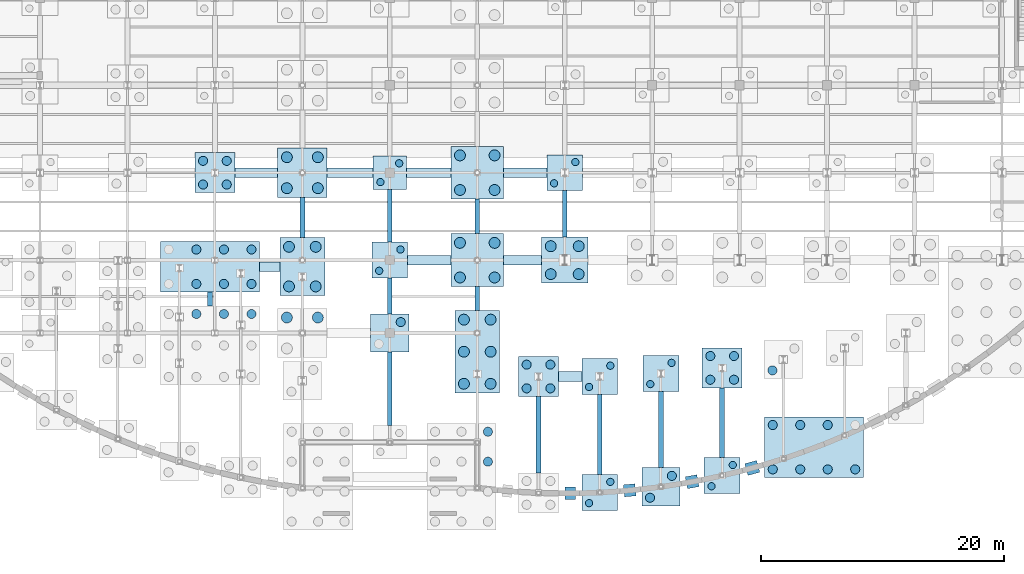
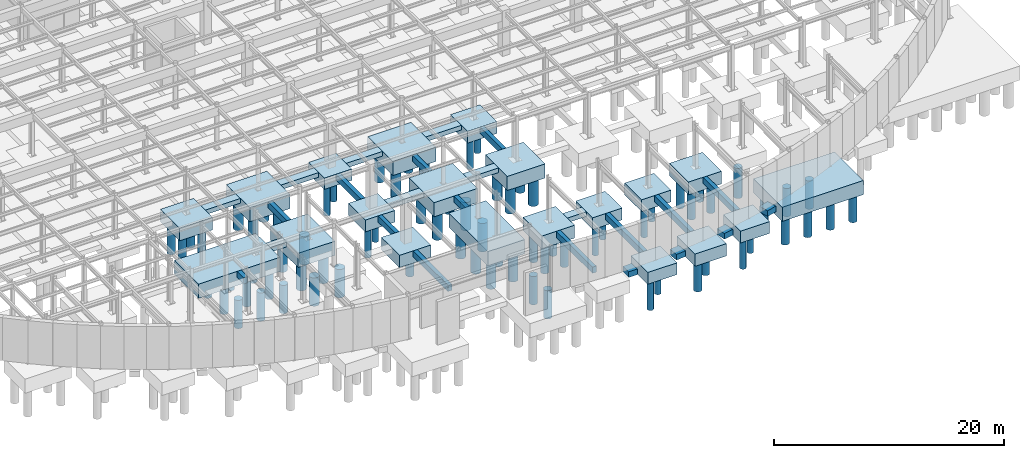
# One storey, part 4 of 64: 76 piles, 44 footings.
"""IFC4 building model written with IfcOpenShell, lengths in metres."""

from ifc_helpers import new_model, si_unit, direction, frame, origin, origin_2d, place, context, subcontext, project, spatial, rectangle, circle, extrude, material, material_profile, profile_set, type_object, element, save


model = new_model("IFC4")

# Units and contexts
model_context = context("Model", 3, precision=1e-05, world=origin(), true_north=direction((0.0, 1.0)))
body_context = subcontext(model_context, "Body", "Model", "MODEL_VIEW")
ifc_project = project(units=[si_unit("LENGTHUNIT", "METRE"), si_unit("AREAUNIT", "SQUARE_METRE"), si_unit("VOLUMEUNIT", "CUBIC_METRE"), si_unit("PLANEANGLEUNIT", "RADIAN"), si_unit("MASSUNIT", "GRAM", prefix="KILO")], contexts=[model_context])

# Site, building, storey
site_placement = place(None, origin())
site = spatial("IfcSite", under=ifc_project, at=site_placement, CompositionType="ELEMENT")
building_placement = place(site_placement, origin())
building = spatial("IfcBuilding", under=site, at=building_placement, Name="Solvadek Multi-Sports Hall", CompositionType="ELEMENT")
storey_placement = place(building_placement, frame((0.0, 0.0, -4.800048828125)))
storey = spatial("IfcBuildingStorey", under=building, at=storey_placement, Name="B1", CompositionType="ELEMENT", Elevation=-4.800048828125)

# Footings
ifc_material_1 = material(Name="Concrete M40", Category="concrete")
footing_type_1 = type_object("IfcFootingType", Name="STR-CAP-275X275X120", PredefinedType="PILE_CAP", material=ifc_material_1)
footing_1_placement = place(storey_placement, frame((79.199951171875, 13.199951171875, -1.19970703125), z_axis=(0.0, 0.0, 1.0), x_axis=(1.0, 0.0, 0.0)))
element("IfcFooting", 1, at=footing_1_placement, inside=storey, type_object=footing_type_1, Name="Pile Cap PC-02 #55", PredefinedType="PILE_CAP", context=body_context, shape_type="SweptSolid", body=[
    extrude(rectangle(XDim=2.75, YDim=2.75, at=origin_2d()), origin(), (0.0, 0.0, 1.0), 1.199951171875),
])
footing_type_2 = type_object("IfcFootingType", Name="STR-CAP-295X295X125", PredefinedType="PILE_CAP", material=ifc_material_1)
for number, where, z_axis, x_axis, name in (
    (2, (96.47998046875, -13.128662109375, -1.25), (0.0, 0.0, 1.0), (1.0, 0.0, 0.0), "Pile Cap PC-14 #4"),
    (3, (106.56005859375, -11.73876953125, -1.25), (0.0, 0.0, 1.0), (1.0, 0.0, 0.0), "Pile Cap PC-14 #7"),
    (4, (96.47998046875, -3.564453125, -1.25), (0.0, 0.0, 1.0), (1.0, 0.0, 0.0), "Pile Cap PC-14 #16"),
    (5, (101.52001953125, -3.329345703125, -1.25), (0.0, 0.0, 1.0), (1.0, 0.0, 0.0), "Pile Cap PC-14 #19"),
    (6, (79.199951171875, 6.0, -1.25), (0.0, 0.0, 1.0), (1.0, 0.0, 0.0), "Pile Cap PC-14 #44"),
    (7, (93.60009765625, 13.199951171875, -1.25), (0.0, 0.0, 1.0), (1.0, 0.0, 0.0), "Pile Cap PC-14 #56"),
):
    element("IfcFooting", number, at=place(storey_placement, frame(where, z_axis=z_axis, x_axis=x_axis)), inside=storey, type_object=footing_type_2, Name=name, PredefinedType="PILE_CAP", context=body_context, shape_type="SweptSolid", body=[
        extrude(rectangle(XDim=2.949951171875, YDim=2.949951171875, at=origin_2d()), origin(), (0.0, 0.0, 1.0), 1.25),
    ])
footing_type_3 = type_object("IfcFootingType", Name="STR-CAP-315X315X130", PredefinedType="PILE_CAP", material=ifc_material_1)
for number, where, z_axis, x_axis, name in (
    (8, (101.52001953125, -12.65869140625, -1.2998046875), (0.0, 0.0, 1.0), (1.0, 0.0, 0.0), "Pile Cap PC-15 #5"),
    (9, (79.199951171875, 0.0, -1.2998046875), (0.0, 0.0, 1.0), (1.0, 0.0, 0.0), "Pile Cap PC-15 #30"),
):
    element("IfcFooting", number, at=place(storey_placement, frame(where, z_axis=z_axis, x_axis=x_axis)), inside=storey, type_object=footing_type_3, Name=name, PredefinedType="PILE_CAP", context=body_context, shape_type="SweptSolid", body=[
        extrude(rectangle(XDim=3.14990234375, YDim=3.14990234375, at=origin_2d()), origin(), (0.0, 0.0, 1.0), 1.300048828125),
    ])
footing_type_4 = type_object("IfcFootingType", Name="STR-CAP-330X330X135", PredefinedType="PILE_CAP", material=ifc_material_1)
for number, where, z_axis, x_axis, name in (
    (10, (91.43994140625, -3.580078125, -1.35009765625), (0.0, 0.0, 1.0), (1.0, 0.0, 0.0), "Pile Cap PC-04 #15"),
    (11, (106.56005859375, -2.869384765625, -1.35009765625), (0.0, 0.0, 1.0), (1.0, 0.0, 0.0), "Pile Cap PC-04 #21"),
    (12, (64.800048828125, 13.199951171875, -1.35009765625), (0.0, 0.0, 1.0), (1.0, 0.0, 0.0), "Pile Cap PC-04 #54"),
):
    element("IfcFooting", number, at=place(storey_placement, frame(where, z_axis=z_axis, x_axis=x_axis)), inside=storey, type_object=footing_type_4, Name=name, PredefinedType="PILE_CAP", context=body_context, shape_type="SweptSolid", body=[
        extrude(rectangle(XDim=3.300048828125, YDim=3.300048828125, at=origin_2d()), origin(), (0.0, 0.0, 1.0), 1.35009765625),
    ])
footing_type_5 = type_object("IfcFootingType", Name="STR-CAP-380X380X150", PredefinedType="PILE_CAP", material=ifc_material_1)
footing_2_placement = place(storey_placement, frame((93.60009765625, 6.0, -1.5), z_axis=(0.0, 0.0, 1.0), x_axis=(1.0, 0.0, 0.0)))
element("IfcFooting", 13, at=footing_2_placement, inside=storey, type_object=footing_type_5, Name="Pile Cap PC-06 #37", PredefinedType="PILE_CAP", context=body_context, shape_type="SweptSolid", body=[
    extrude(rectangle(XDim=3.800048828125, YDim=3.800048828125, at=origin_2d()), origin(), (0.0, 0.0, 1.0), 1.5),
])
footing_type_6 = type_object("IfcFootingType", Name="STR-CAP-405X405X150", PredefinedType="PILE_CAP", material=ifc_material_1)
footing_3_placement = place(storey_placement, frame((72.0, 13.199951171875, -1.5), z_axis=(0.0, 0.0, 1.0), x_axis=(1.0, 0.0, 0.0)))
element("IfcFooting", 14, at=footing_3_placement, inside=storey, type_object=footing_type_6, Name="Pile Cap PC-17 #47", PredefinedType="PILE_CAP", context=body_context, shape_type="SweptSolid", body=[
    extrude(rectangle(XDim=4.050048828125, YDim=4.050048828125, at=origin_2d()), origin(), (0.0, 0.0, 1.0), 1.5),
])
footing_type_7 = type_object("IfcFootingType", Name="STR-CAP-435X435X150", PredefinedType="PILE_CAP", material=ifc_material_1)
for number, where, z_axis, x_axis, name in (
    (15, (86.39990234375, 6.0, -1.5), (0.0, 0.0, 1.0), (1.0, 0.0, 0.0), "Pile Cap PC-18 #36"),
    (16, (86.39990234375, 13.199951171875, -1.5), (0.0, 0.0, 1.0), (1.0, 0.0, 0.0), "Pile Cap PC-18 #48"),
):
    element("IfcFooting", number, at=place(storey_placement, frame(where, z_axis=z_axis, x_axis=x_axis)), inside=storey, type_object=footing_type_7, Name=name, PredefinedType="PILE_CAP", context=body_context, shape_type="SweptSolid", body=[
        extrude(rectangle(XDim=4.35009765625, YDim=4.35009765625, at=origin_2d()), origin(), (0.0, 0.0, 1.0), 1.5),
    ])
footing_type_8 = type_object("IfcFootingType", Name="STR-CAP-CMB-476X370", PredefinedType="PILE_CAP", material=ifc_material_1)
footing_4_placement = place(storey_placement, frame((72.0, 5.4677734375, -1.5), z_axis=(0.0, 0.0, 1.0), x_axis=(0.0, 1.0, 0.0)))
element("IfcFooting", 17, at=footing_4_placement, inside=storey, type_object=footing_type_8, Name="Pile Cap PC-R32 #32", PredefinedType="PILE_CAP", context=body_context, shape_type="SweptSolid", body=[
    extrude(rectangle(XDim=4.760009765625, YDim=3.699951171875, at=origin_2d()), origin(), (0.0, 0.0, 1.0), 1.5),
])
footing_type_9 = type_object("IfcFootingType", Name="STR-CAP-CMB-678X370", PredefinedType="PILE_CAP", material=ifc_material_1)
footing_5_placement = place(storey_placement, frame((86.39990234375, -1.5380859375, -1.5), z_axis=(0.0, 0.0, 1.0), x_axis=(0.0, 1.0, 0.0)))
element("IfcFooting", 18, at=footing_5_placement, inside=storey, type_object=footing_type_9, Name="Pile Cap PC-R17 #17", PredefinedType="PILE_CAP", context=body_context, shape_type="SweptSolid", body=[
    extrude(rectangle(XDim=6.780029296875, YDim=3.699951171875, at=origin_2d()), origin(), (0.0, 0.0, 1.0), 1.5),
])
footing_type_10 = type_object("IfcFootingType", Name="STR-CAP-CMB-814X500", PredefinedType="PILE_CAP", material=ifc_material_1)
footing_6_placement = place(storey_placement, frame((114.1201171875, -9.39599609375, -1.5), z_axis=(0.0, 0.0, 1.0), x_axis=(1.0, 0.0, 0.0)))
element("IfcFooting", 19, at=footing_6_placement, inside=storey, type_object=footing_type_10, Name="Pile Cap PC-R09 #9", PredefinedType="PILE_CAP", context=body_context, shape_type="SweptSolid", body=[
    extrude(rectangle(XDim=8.139892578125, YDim=5.0, at=origin_2d()), origin(), (0.0, 0.0, 1.0), 1.5),
])
footing_type_11 = type_object("IfcFootingType", Name="STR-CAP-CMB-816X418", PredefinedType="PILE_CAP", material=ifc_material_1)
footing_7_placement = place(storey_placement, frame((64.4091796875, 5.45947265625, -1.5), z_axis=(0.0, 0.0, 1.0), x_axis=(1.0, 0.0, 0.0)))
element("IfcFooting", 20, at=footing_7_placement, inside=storey, type_object=footing_type_11, Name="Pile Cap PC-R33 #33", PredefinedType="PILE_CAP", context=body_context, shape_type="SweptSolid", body=[
    extrude(rectangle(XDim=8.159912109375, YDim=4.179931640625, at=origin_2d()), origin(), (0.0, 0.0, 1.0), 1.5),
])
footing_type_12 = type_object("IfcFootingType", Name="STR-FTB-400X650", PredefinedType="FOOTING_BEAM", material=ifc_material_1)
footing_8_placement = place(storey_placement, frame((64.4091796875, 2.806396484375, -0.64990234375), z_axis=(0.0, 0.0, 1.0), x_axis=(0.0, 1.0, 0.0)))
element("IfcFooting", 21, at=footing_8_placement, inside=storey, type_object=footing_type_12, Name="Foundation Beam FB-01 #315", PredefinedType="FOOTING_BEAM", context=body_context, shape_type="SweptSolid", body=[
    extrude(rectangle(XDim=1.126220703125, YDim=0.39990234375, at=origin_2d()), origin(), (0.0, 0.0, 1.0), 0.64990234375),
])
footing_9_placement = place(storey_placement, frame((72.0, 9.511474609375, -0.64990234375), z_axis=(0.0, 0.0, 1.0), x_axis=(0.0, 1.0, 0.0)))
element("IfcFooting", 22, at=footing_9_placement, inside=storey, type_object=footing_type_12, Name="Foundation Beam FB-01 #327", PredefinedType="FOOTING_BEAM", context=body_context, shape_type="SweptSolid", body=[
    extrude(rectangle(XDim=3.3271484375, YDim=0.39990234375, at=origin_2d()), origin(), (0.0, 0.0, 1.0), 0.64990234375),
])
footing_10_placement = place(storey_placement, frame((79.199951171875, -4.60009765625, -0.64990234375), z_axis=(0.0, 0.0, 1.0), x_axis=(0.0, 1.0, 0.0)))
element("IfcFooting", 23, at=footing_10_placement, inside=storey, type_object=footing_type_12, Name="Foundation Beam FB-01 #341", PredefinedType="FOOTING_BEAM", context=body_context, shape_type="SweptSolid", body=[
    extrude(rectangle(XDim=6.050048828125, YDim=0.39990234375, at=origin_2d()), origin(), (0.0, 0.0, 1.0), 0.64990234375),
])
footing_11_placement = place(storey_placement, frame((79.199951171875, 3.050048828125, -0.64990234375), z_axis=(0.0, 0.0, 1.0), x_axis=(0.0, 1.0, 0.0)))
element("IfcFooting", 24, at=footing_11_placement, inside=storey, type_object=footing_type_12, Name="Foundation Beam FB-01 #342", PredefinedType="FOOTING_BEAM", context=body_context, shape_type="SweptSolid", body=[
    extrude(rectangle(XDim=2.949951171875, YDim=0.39990234375, at=origin_2d()), origin(), (0.0, 0.0, 1.0), 0.64990234375),
])
footing_12_placement = place(storey_placement, frame((79.199951171875, 9.64990234375, -0.64990234375), z_axis=(0.0, 0.0, 1.0), x_axis=(0.0, 1.0, 0.0)))
element("IfcFooting", 25, at=footing_12_placement, inside=storey, type_object=footing_type_12, Name="Foundation Beam FB-01 #343", PredefinedType="FOOTING_BEAM", context=body_context, shape_type="SweptSolid", body=[
    extrude(rectangle(XDim=4.35009765625, YDim=0.39990234375, at=origin_2d()), origin(), (0.0, 0.0, 1.0), 0.64990234375),
])
footing_13_placement = place(storey_placement, frame((86.39990234375, 2.83837890625, -0.64990234375), z_axis=(0.0, 0.0, 1.0), x_axis=(0.0, 1.0, 0.0)))
element("IfcFooting", 26, at=footing_13_placement, inside=storey, type_object=footing_type_12, Name="Foundation Beam FB-01 #355", PredefinedType="FOOTING_BEAM", context=body_context, shape_type="SweptSolid", body=[
    extrude(rectangle(XDim=1.97314453125, YDim=0.39990234375, at=origin_2d()), origin(), (0.0, 0.0, 1.0), 0.64990234375),
])
footing_14_placement = place(storey_placement, frame((86.39990234375, 9.60009765625, -0.64990234375), z_axis=(0.0, 0.0, 1.0), x_axis=(0.0, 1.0, 0.0)))
element("IfcFooting", 27, at=footing_14_placement, inside=storey, type_object=footing_type_12, Name="Foundation Beam FB-01 #356", PredefinedType="FOOTING_BEAM", context=body_context, shape_type="SweptSolid", body=[
    extrude(rectangle(XDim=2.85009765625, YDim=0.39990234375, at=origin_2d()), origin(), (0.0, 0.0, 1.0), 0.64990234375),
])
footing_15_placement = place(storey_placement, frame((91.43994140625, -8.369873046875, -0.64990234375), z_axis=(0.0, 0.0, 1.0), x_axis=(0.0, 1.0, 0.0)))
element("IfcFooting", 28, at=footing_15_placement, inside=storey, type_object=footing_type_12, Name="Foundation Beam FB-01 #370", PredefinedType="FOOTING_BEAM", context=body_context, shape_type="SweptSolid", body=[
    extrude(rectangle(XDim=6.27978515625, YDim=0.39990234375, at=origin_2d()), origin(), (0.0, 0.0, 1.0), 0.64990234375),
])
footing_16_placement = place(storey_placement, frame((93.60009765625, 9.8125, -0.64990234375), z_axis=(0.0, 0.0, 1.0), x_axis=(0.0, 1.0, 0.0)))
element("IfcFooting", 29, at=footing_16_placement, inside=storey, type_object=footing_type_12, Name="Foundation Beam FB-01 #371", PredefinedType="FOOTING_BEAM", context=body_context, shape_type="SweptSolid", body=[
    extrude(rectangle(XDim=3.824951171875, YDim=0.39990234375, at=origin_2d()), origin(), (0.0, 0.0, 1.0), 0.64990234375),
])
footing_17_placement = place(storey_placement, frame((96.47998046875, -8.346435546875, -0.64990234375), z_axis=(0.0, 0.0, 1.0), x_axis=(0.0, 1.0, 0.0)))
element("IfcFooting", 30, at=footing_17_placement, inside=storey, type_object=footing_type_12, Name="Foundation Beam FB-01 #378", PredefinedType="FOOTING_BEAM", context=body_context, shape_type="SweptSolid", body=[
    extrude(rectangle(XDim=6.6142578125, YDim=0.39990234375, at=origin_2d()), origin(), (0.0, 0.0, 1.0), 0.64990234375),
])
footing_18_placement = place(storey_placement, frame((101.52001953125, -7.94384765625, -0.64990234375), z_axis=(0.0, 0.0, 1.0), x_axis=(0.0, 1.0, 0.0)))
element("IfcFooting", 31, at=footing_18_placement, inside=storey, type_object=footing_type_12, Name="Foundation Beam FB-01 #386", PredefinedType="FOOTING_BEAM", context=body_context, shape_type="SweptSolid", body=[
    extrude(rectangle(XDim=6.279296875, YDim=0.39990234375, at=origin_2d()), origin(), (0.0, 0.0, 1.0), 0.64990234375),
])
footing_19_placement = place(storey_placement, frame((106.56005859375, -7.3916015625, -0.64990234375), z_axis=(0.0, 0.0, 1.0), x_axis=(0.0, 1.0, 0.0)))
element("IfcFooting", 32, at=footing_19_placement, inside=storey, type_object=footing_type_12, Name="Foundation Beam FB-01 #387", PredefinedType="FOOTING_BEAM", context=body_context, shape_type="SweptSolid", body=[
    extrude(rectangle(XDim=5.744384765625, YDim=0.39990234375, at=origin_2d()), origin(), (0.0, 0.0, 1.0), 0.64990234375),
])

# Piles
ifc_material_2 = material(Name="Concrete M35", Category="concrete")
ifc_material_profile_1 = material_profile(ifc_material_2, circle(Radius=0.300048828125, at=origin_2d()), Name="BORED PILE D600")
ifc_profile_set_1 = profile_set([ifc_material_profile_1], Name="Concrete M35")
pile_type_1 = type_object("IfcPileType", Name="STR-PILE-D600", PredefinedType="BORED", material=ifc_profile_set_1)
for number, where, z_axis, x_axis, name in (
    (33, (95.60498046875, -14.003662109375, -1.14990234375), (0.0, 0.0, -1.0), (1.0, 0.0, 0.0), "Bored Pile PL-600 #29"),
    (34, (97.35498046875, -12.253662109375, -1.14990234375), (0.0, 0.0, -1.0), (1.0, 0.0, 0.0), "Bored Pile PL-600 #30"),
    (35, (105.68505859375, -12.61376953125, -1.14990234375), (0.0, 0.0, -1.0), (1.0, 0.0, 0.0), "Bored Pile PL-600 #37"),
    (36, (107.43505859375, -10.86376953125, -1.14990234375), (0.0, 0.0, -1.0), (1.0, 0.0, 0.0), "Bored Pile PL-600 #38"),
    (37, (95.60498046875, -4.439453125, -1.14990234375), (0.0, 0.0, -1.0), (1.0, 0.0, 0.0), "Bored Pile PL-600 #65"),
    (38, (97.35498046875, -2.689453125, -1.14990234375), (0.0, 0.0, -1.0), (1.0, 0.0, 0.0), "Bored Pile PL-600 #66"),
    (39, (100.64501953125, -4.204345703125, -1.14990234375), (0.0, 0.0, -1.0), (1.0, 0.0, 0.0), "Bored Pile PL-600 #85"),
    (40, (102.39501953125, -2.454345703125, -1.14990234375), (0.0, 0.0, -1.0), (1.0, 0.0, 0.0), "Bored Pile PL-600 #86"),
    (41, (78.324951171875, 5.125, -1.14990234375), (0.0, 0.0, -1.0), (1.0, 0.0, 0.0), "Bored Pile PL-600 #202"),
    (42, (80.074951171875, 6.875, -1.14990234375), (0.0, 0.0, -1.0), (1.0, 0.0, 0.0), "Bored Pile PL-600 #203"),
):
    element("IfcPile", number, at=place(storey_placement, frame(where, z_axis=z_axis, x_axis=x_axis)), inside=storey, type_object=pile_type_1, Name=name, PredefinedType="BORED", context=body_context, shape_type="SweptSolid", body=[
        extrude(circle(Radius=0.300048828125, at=origin_2d()), origin(), (0.0, 0.0, 1.0), 3.25),
    ])
for number, where, z_axis, x_axis, name in (
    (43, (78.425048828125, 12.425048828125, -1.099853515625), (0.0, 0.0, -1.0), (1.0, 0.0, 0.0), "Bored Pile PL-600 #236"),
    (44, (79.97509765625, 13.97509765625, -1.099853515625), (0.0, 0.0, -1.0), (1.0, 0.0, 0.0), "Bored Pile PL-600 #237"),
):
    element("IfcPile", number, at=place(storey_placement, frame(where, z_axis=z_axis, x_axis=x_axis)), inside=storey, type_object=pile_type_1, Name=name, PredefinedType="BORED", context=body_context, shape_type="SweptSolid", body=[
        extrude(circle(Radius=0.300048828125, at=origin_2d()), origin(), (0.0, 0.0, 1.0), 3.300048828125),
    ])
for number, where, z_axis, x_axis, name in (
    (45, (92.72509765625, 12.324951171875, -1.14990234375), (0.0, 0.0, -1.0), (1.0, 0.0, 0.0), "Bored Pile PL-600 #238"),
    (46, (94.47509765625, 14.074951171875, -1.14990234375), (0.0, 0.0, -1.0), (1.0, 0.0, 0.0), "Bored Pile PL-600 #239"),
):
    element("IfcPile", number, at=place(storey_placement, frame(where, z_axis=z_axis, x_axis=x_axis)), inside=storey, type_object=pile_type_1, Name=name, PredefinedType="BORED", context=body_context, shape_type="SweptSolid", body=[
        extrude(circle(Radius=0.300048828125, at=origin_2d()), origin(), (0.0, 0.0, 1.0), 3.25),
    ])
ifc_material_profile_2 = material_profile(ifc_material_2, circle(Radius=0.375, at=origin_2d()), Name="BORED PILE D750")
ifc_profile_set_2 = profile_set([ifc_material_profile_2], Name="Concrete M35")
pile_type_2 = type_object("IfcPileType", Name="STR-PILE-D750", PredefinedType="BORED", material=ifc_profile_set_2)
for number, where, z_axis, x_axis, name in (
    (47, (87.27490234375, -10.591796875, -1.39990234375), (0.0, 0.0, -1.0), (1.0, 0.0, 0.0), "Bored Pile PL-750 #23"),
    (48, (87.27490234375, -8.125, -1.39990234375), (0.0, 0.0, -1.0), (1.0, 0.0, 0.0), "Bored Pile PL-750 #24"),
):
    element("IfcPile", number, at=place(storey_placement, frame(where, z_axis=z_axis, x_axis=x_axis)), inside=storey, type_object=pile_type_2, Name=name, PredefinedType="BORED", context=body_context, shape_type="SweptSolid", body=[
        extrude(circle(Radius=0.375, at=origin_2d()), origin(), (0.0, 0.0, 1.0), 3.0),
    ])
for number, where, z_axis, x_axis, name in (
    (49, (100.6201171875, -13.55859375, -1.199951171875), (0.0, 0.0, -1.0), (1.0, 0.0, 0.0), "Bored Pile PL-750 #31"),
    (50, (102.419921875, -11.758544921875, -1.199951171875), (0.0, 0.0, -1.0), (1.0, 0.0, 0.0), "Bored Pile PL-750 #32"),
):
    element("IfcPile", number, at=place(storey_placement, frame(where, z_axis=z_axis, x_axis=x_axis)), inside=storey, type_object=pile_type_2, Name=name, PredefinedType="BORED", context=body_context, shape_type="SweptSolid", body=[
        extrude(circle(Radius=0.375, at=origin_2d()), origin(), (0.0, 0.0, 1.0), 3.199951171875),
    ])
for number, where, z_axis, x_axis, name in (
    (51, (110.72509765625, -11.220947265625, -1.39990234375), (0.0, 0.0, -1.0), (1.0, 0.0, 0.0), "Bored Pile PL-750 #41"),
    (52, (110.72509765625, -7.57080078125, -1.39990234375), (0.0, 0.0, -1.0), (1.0, 0.0, 0.0), "Bored Pile PL-750 #42"),
    (53, (112.98828125, -11.220947265625, -1.39990234375), (0.0, 0.0, -1.0), (1.0, 0.0, 0.0), "Bored Pile PL-750 #43"),
    (54, (112.98828125, -7.57080078125, -1.39990234375), (0.0, 0.0, -1.0), (1.0, 0.0, 0.0), "Bored Pile PL-750 #44"),
    (55, (115.251708984375, -11.220947265625, -1.39990234375), (0.0, 0.0, -1.0), (1.0, 0.0, 0.0), "Bored Pile PL-750 #45"),
    (56, (115.251708984375, -7.57080078125, -1.39990234375), (0.0, 0.0, -1.0), (1.0, 0.0, 0.0), "Bored Pile PL-750 #46"),
    (57, (117.514892578125, -11.220947265625, -1.39990234375), (0.0, 0.0, -1.0), (1.0, 0.0, 0.0), "Bored Pile PL-750 #47"),
):
    element("IfcPile", number, at=place(storey_placement, frame(where, z_axis=z_axis, x_axis=x_axis)), inside=storey, type_object=pile_type_2, Name=name, PredefinedType="BORED", context=body_context, shape_type="SweptSolid", body=[
        extrude(circle(Radius=0.375, at=origin_2d()), origin(), (0.0, 0.0, 1.0), 3.0),
    ])
for number, where, z_axis, x_axis, name in (
    (58, (90.465087890625, -4.554931640625, -1.25), (0.0, 0.0, -1.0), (1.0, 0.0, 0.0), "Bored Pile PL-750 #61"),
    (59, (90.465087890625, -2.60498046875, -1.25), (0.0, 0.0, -1.0), (1.0, 0.0, 0.0), "Bored Pile PL-750 #62"),
    (60, (92.4150390625, -4.554931640625, -1.25), (0.0, 0.0, -1.0), (1.0, 0.0, 0.0), "Bored Pile PL-750 #63"),
    (61, (92.4150390625, -2.60498046875, -1.25), (0.0, 0.0, -1.0), (1.0, 0.0, 0.0), "Bored Pile PL-750 #64"),
):
    element("IfcPile", number, at=place(storey_placement, frame(where, z_axis=z_axis, x_axis=x_axis)), inside=storey, type_object=pile_type_2, Name=name, PredefinedType="BORED", context=body_context, shape_type="SweptSolid", body=[
        extrude(circle(Radius=0.375, at=origin_2d()), origin(), (0.0, 0.0, 1.0), 3.14990234375),
    ])
for number, where, z_axis, x_axis, name in (
    (62, (63.274169921875, 1.568359375, -1.39990234375), (0.0, 0.0, -1.0), (1.0, 0.0, 0.0), "Bored Pile PL-750 #78"),
    (63, (65.544189453125, 1.568359375, -1.39990234375), (0.0, 0.0, -1.0), (1.0, 0.0, 0.0), "Bored Pile PL-750 #81"),
    (64, (67.814208984375, 1.568359375, -1.39990234375), (0.0, 0.0, -1.0), (1.0, 0.0, 0.0), "Bored Pile PL-750 #84"),
):
    element("IfcPile", number, at=place(storey_placement, frame(where, z_axis=z_axis, x_axis=x_axis)), inside=storey, type_object=pile_type_2, Name=name, PredefinedType="BORED", context=body_context, shape_type="SweptSolid", body=[
        extrude(circle(Radius=0.375, at=origin_2d()), origin(), (0.0, 0.0, 1.0), 3.0),
    ])
for number, where, z_axis, x_axis, name in (
    (65, (105.5849609375, -3.84423828125, -1.25), (0.0, 0.0, -1.0), (1.0, 0.0, 0.0), "Bored Pile PL-750 #89"),
    (66, (105.5849609375, -1.894287109375, -1.25), (0.0, 0.0, -1.0), (1.0, 0.0, 0.0), "Bored Pile PL-750 #90"),
    (67, (107.534912109375, -3.84423828125, -1.25), (0.0, 0.0, -1.0), (1.0, 0.0, 0.0), "Bored Pile PL-750 #91"),
    (68, (107.534912109375, -1.894287109375, -1.25), (0.0, 0.0, -1.0), (1.0, 0.0, 0.0), "Bored Pile PL-750 #92"),
):
    element("IfcPile", number, at=place(storey_placement, frame(where, z_axis=z_axis, x_axis=x_axis)), inside=storey, type_object=pile_type_2, Name=name, PredefinedType="BORED", context=body_context, shape_type="SweptSolid", body=[
        extrude(circle(Radius=0.375, at=origin_2d()), origin(), (0.0, 0.0, 1.0), 3.14990234375),
    ])
for number, where, z_axis, x_axis, name in (
    (69, (110.699951171875, -3.0732421875, -1.199951171875), (0.0, 0.0, -1.0), (1.0, 0.0, 0.0), "Bored Pile PL-750 #123"),
    (70, (80.10009765625, 0.89990234375, -1.199951171875), (0.0, 0.0, -1.0), (1.0, 0.0, 0.0), "Bored Pile PL-750 #145"),
):
    element("IfcPile", number, at=place(storey_placement, frame(where, z_axis=z_axis, x_axis=x_axis)), inside=storey, type_object=pile_type_2, Name=name, PredefinedType="BORED", context=body_context, shape_type="SweptSolid", body=[
        extrude(circle(Radius=0.375, at=origin_2d()), origin(), (0.0, 0.0, 1.0), 3.199951171875),
    ])
for number, where, z_axis, x_axis, name in (
    (71, (63.274169921875, 4.04443359375, -1.39990234375), (0.0, 0.0, -1.0), (1.0, 0.0, 0.0), "Bored Pile PL-750 #158"),
    (72, (63.274169921875, 6.87451171875, -1.39990234375), (0.0, 0.0, -1.0), (1.0, 0.0, 0.0), "Bored Pile PL-750 #159"),
    (73, (65.544189453125, 4.04443359375, -1.39990234375), (0.0, 0.0, -1.0), (1.0, 0.0, 0.0), "Bored Pile PL-750 #160"),
    (74, (65.544189453125, 6.87451171875, -1.39990234375), (0.0, 0.0, -1.0), (1.0, 0.0, 0.0), "Bored Pile PL-750 #161"),
    (75, (67.814208984375, 4.04443359375, -1.39990234375), (0.0, 0.0, -1.0), (1.0, 0.0, 0.0), "Bored Pile PL-750 #162"),
    (76, (67.814208984375, 6.87451171875, -1.39990234375), (0.0, 0.0, -1.0), (1.0, 0.0, 0.0), "Bored Pile PL-750 #163"),
):
    element("IfcPile", number, at=place(storey_placement, frame(where, z_axis=z_axis, x_axis=x_axis)), inside=storey, type_object=pile_type_2, Name=name, PredefinedType="BORED", context=body_context, shape_type="SweptSolid", body=[
        extrude(circle(Radius=0.375, at=origin_2d()), origin(), (0.0, 0.0, 1.0), 3.0),
    ])
for number, where, z_axis, x_axis, name in (
    (77, (63.824951171875, 12.22509765625, -1.25), (0.0, 0.0, -1.0), (1.0, 0.0, 0.0), "Bored Pile PL-750 #232"),
    (78, (63.824951171875, 14.175048828125, -1.25), (0.0, 0.0, -1.0), (1.0, 0.0, 0.0), "Bored Pile PL-750 #233"),
    (79, (65.77490234375, 12.22509765625, -1.25), (0.0, 0.0, -1.0), (1.0, 0.0, 0.0), "Bored Pile PL-750 #234"),
    (80, (65.77490234375, 14.175048828125, -1.25), (0.0, 0.0, -1.0), (1.0, 0.0, 0.0), "Bored Pile PL-750 #235"),
):
    element("IfcPile", number, at=place(storey_placement, frame(where, z_axis=z_axis, x_axis=x_axis)), inside=storey, type_object=pile_type_2, Name=name, PredefinedType="BORED", context=body_context, shape_type="SweptSolid", body=[
        extrude(circle(Radius=0.375, at=origin_2d()), origin(), (0.0, 0.0, 1.0), 3.14990234375),
    ])
ifc_material_profile_3 = material_profile(ifc_material_2, circle(Radius=0.449951171875, at=origin_2d()), Name="BORED PILE D900")
ifc_profile_set_3 = profile_set([ifc_material_profile_3], Name="Concrete M35")
pile_type_3 = type_object("IfcPileType", Name="STR-PILE-D900", PredefinedType="BORED", material=ifc_profile_set_3)
for number, where, z_axis, x_axis, name in (
    (81, (85.300048828125, -4.17822265625, -1.39990234375), (0.0, 0.0, -1.0), (1.0, 0.0, 0.0), "Bored Pile PL-900 #67"),
    (82, (85.300048828125, -1.5380859375, -1.39990234375), (0.0, 0.0, -1.0), (1.0, 0.0, 0.0), "Bored Pile PL-900 #68"),
    (83, (85.300048828125, 1.101806640625, -1.39990234375), (0.0, 0.0, -1.0), (1.0, 0.0, 0.0), "Bored Pile PL-900 #69"),
    (84, (87.5, -4.17822265625, -1.39990234375), (0.0, 0.0, -1.0), (1.0, 0.0, 0.0), "Bored Pile PL-900 #70"),
    (85, (87.5, -1.5380859375, -1.39990234375), (0.0, 0.0, -1.0), (1.0, 0.0, 0.0), "Bored Pile PL-900 #71"),
    (86, (87.5, 1.101806640625, -1.39990234375), (0.0, 0.0, -1.0), (1.0, 0.0, 0.0), "Bored Pile PL-900 #72"),
    (87, (70.72509765625, 1.27490234375, -1.39990234375), (0.0, 0.0, -1.0), (1.0, 0.0, 0.0), "Bored Pile PL-900 #134"),
    (88, (73.27490234375, 1.27490234375, -1.39990234375), (0.0, 0.0, -1.0), (1.0, 0.0, 0.0), "Bored Pile PL-900 #135"),
    (89, (70.89990234375, 3.837890625, -1.39990234375), (0.0, 0.0, -1.0), (1.0, 0.0, 0.0), "Bored Pile PL-900 #152"),
    (90, (70.89990234375, 7.097900390625, -1.39990234375), (0.0, 0.0, -1.0), (1.0, 0.0, 0.0), "Bored Pile PL-900 #153"),
    (91, (73.10009765625, 3.837890625, -1.39990234375), (0.0, 0.0, -1.0), (1.0, 0.0, 0.0), "Bored Pile PL-900 #154"),
    (92, (73.10009765625, 7.097900390625, -1.39990234375), (0.0, 0.0, -1.0), (1.0, 0.0, 0.0), "Bored Pile PL-900 #155"),
    (93, (84.97509765625, 4.574951171875, -1.39990234375), (0.0, 0.0, -1.0), (1.0, 0.0, 0.0), "Bored Pile PL-900 #172"),
    (94, (84.97509765625, 7.425048828125, -1.39990234375), (0.0, 0.0, -1.0), (1.0, 0.0, 0.0), "Bored Pile PL-900 #173"),
    (95, (87.824951171875, 4.574951171875, -1.39990234375), (0.0, 0.0, -1.0), (1.0, 0.0, 0.0), "Bored Pile PL-900 #174"),
    (96, (87.824951171875, 7.425048828125, -1.39990234375), (0.0, 0.0, -1.0), (1.0, 0.0, 0.0), "Bored Pile PL-900 #175"),
    (97, (92.449951171875, 4.85009765625, -1.39990234375), (0.0, 0.0, -1.0), (1.0, 0.0, 0.0), "Bored Pile PL-900 #176"),
    (98, (92.449951171875, 7.14990234375, -1.39990234375), (0.0, 0.0, -1.0), (1.0, 0.0, 0.0), "Bored Pile PL-900 #177"),
    (99, (94.75, 4.85009765625, -1.39990234375), (0.0, 0.0, -1.0), (1.0, 0.0, 0.0), "Bored Pile PL-900 #178"),
    (100, (94.75, 7.14990234375, -1.39990234375), (0.0, 0.0, -1.0), (1.0, 0.0, 0.0), "Bored Pile PL-900 #179"),
    (101, (70.72509765625, 11.925048828125, -1.39990234375), (0.0, 0.0, -1.0), (1.0, 0.0, 0.0), "Bored Pile PL-900 #210"),
    (102, (70.72509765625, 14.47509765625, -1.39990234375), (0.0, 0.0, -1.0), (1.0, 0.0, 0.0), "Bored Pile PL-900 #211"),
    (103, (73.27490234375, 11.925048828125, -1.39990234375), (0.0, 0.0, -1.0), (1.0, 0.0, 0.0), "Bored Pile PL-900 #212"),
    (104, (73.27490234375, 14.47509765625, -1.39990234375), (0.0, 0.0, -1.0), (1.0, 0.0, 0.0), "Bored Pile PL-900 #213"),
    (105, (84.97509765625, 11.77490234375, -1.39990234375), (0.0, 0.0, -1.0), (1.0, 0.0, 0.0), "Bored Pile PL-900 #214"),
    (106, (84.97509765625, 14.625, -1.39990234375), (0.0, 0.0, -1.0), (1.0, 0.0, 0.0), "Bored Pile PL-900 #215"),
    (107, (87.824951171875, 11.77490234375, -1.39990234375), (0.0, 0.0, -1.0), (1.0, 0.0, 0.0), "Bored Pile PL-900 #216"),
    (108, (87.824951171875, 14.625, -1.39990234375), (0.0, 0.0, -1.0), (1.0, 0.0, 0.0), "Bored Pile PL-900 #217"),
):
    element("IfcPile", number, at=place(storey_placement, frame(where, z_axis=z_axis, x_axis=x_axis)), inside=storey, type_object=pile_type_3, Name=name, PredefinedType="BORED", context=body_context, shape_type="SweptSolid", body=[
        extrude(circle(Radius=0.449951171875, at=origin_2d()), origin(), (0.0, 0.0, 1.0), 3.0),
    ])

# Footings
footing_type_13 = type_object("IfcFootingType", Name="STR-SFT-1000X600", PredefinedType="STRIP_FOOTING", material=ifc_material_1)
footing_20_placement = place(storey_placement, frame((94.047607421875, -13.1923828125, -0.60009765625), z_axis=(0.0, 0.0, 1.0), x_axis=(0.999981342241, 0.006108614391, 0.0)))
element("IfcFooting", 109, at=footing_20_placement, inside=storey, type_object=footing_type_13, Name="Perimeter Retaining Wall Strip Footing #442", PredefinedType="STRIP_FOOTING", context=body_context, shape_type="SweptSolid", body=[
    extrude(rectangle(XDim=0.875, YDim=1.0, at=origin_2d()), origin(), (0.0, 0.0, 1.0), 0.60009765625),
])
footing_21_placement = place(storey_placement, frame((98.949951171875, -12.947509765625, -0.60009765625), z_axis=(0.0, 0.0, 1.0), x_axis=(0.995676196569, 0.092891934994, 0.0)))
element("IfcFooting", 110, at=footing_21_placement, inside=storey, type_object=footing_type_13, Name="Perimeter Retaining Wall Strip Footing #443", PredefinedType="STRIP_FOOTING", context=body_context, shape_type="SweptSolid", body=[
    extrude(rectangle(XDim=0.9541015625, YDim=1.0, at=origin_2d()), origin(), (0.0, 0.0, 1.0), 0.60009765625),
])
footing_22_placement = place(storey_placement, frame((104.090087890625, -12.240478515625, -0.60009765625), z_axis=(0.0, 0.0, 1.0), x_axis=(0.983759970682, 0.179489052822, 0.0)))
element("IfcFooting", 111, at=footing_22_placement, inside=storey, type_object=footing_type_13, Name="Perimeter Retaining Wall Strip Footing #444", PredefinedType="STRIP_FOOTING", context=body_context, shape_type="SweptSolid", body=[
    extrude(rectangle(XDim=0.966064453125, YDim=1.0, at=origin_2d()), origin(), (0.0, 0.0, 1.0), 0.60009765625),
])
footing_23_placement = place(storey_placement, frame((109.04248046875, -11.107177734375, -0.60009765625), z_axis=(0.0, 0.0, 1.0), x_axis=(0.963956227226, 0.266060880235, 0.0)))
element("IfcFooting", 112, at=footing_23_placement, inside=storey, type_object=footing_type_13, Name="Perimeter Retaining Wall Strip Footing #445", PredefinedType="STRIP_FOOTING", context=body_context, shape_type="SweptSolid", body=[
    extrude(rectangle(XDim=1.010986328125, YDim=1.0, at=origin_2d()), origin(), (0.0, 0.0, 1.0), 0.60009765625),
])
footing_type_14 = type_object("IfcFootingType", Name="STR-SFT-800X500", PredefinedType="STRIP_FOOTING", material=ifc_material_1)
footing_24_placement = place(storey_placement, frame((94.047607421875, -3.572265625, -0.5), z_axis=(0.0, 0.0, 1.0), x_axis=(1.0, 0.0, 0.0)))
element("IfcFooting", 113, at=footing_24_placement, inside=storey, type_object=footing_type_14, Name="Foundation Beam SF-01 #2", PredefinedType="STRIP_FOOTING", context=body_context, shape_type="SweptSolid", body=[
    extrude(rectangle(XDim=1.9150390625, YDim=0.800048828125, at=origin_2d()), origin(), (0.0, 0.0, 1.0), 0.5),
])
footing_25_placement = place(storey_placement, frame((69.319580078125, 5.463623046875, -0.5), z_axis=(0.0, 0.0, 1.0), x_axis=(1.0, 0.0, 0.0)))
element("IfcFooting", 114, at=footing_25_placement, inside=storey, type_object=footing_type_14, Name="Foundation Beam SF-01 #4", PredefinedType="STRIP_FOOTING", context=body_context, shape_type="SweptSolid", body=[
    extrude(rectangle(XDim=1.660888671875, YDim=0.800048828125, at=origin_2d()), origin(), (0.0, 0.0, 1.0), 0.5),
])
footing_26_placement = place(storey_placement, frame((82.449951171875, 6.0, -0.5), z_axis=(0.0, 0.0, 1.0), x_axis=(1.0, 0.0, 0.0)))
element("IfcFooting", 115, at=footing_26_placement, inside=storey, type_object=footing_type_14, Name="Foundation Beam SF-01 #5", PredefinedType="STRIP_FOOTING", context=body_context, shape_type="SweptSolid", body=[
    extrude(rectangle(XDim=3.550048828125, YDim=0.800048828125, at=origin_2d()), origin(), (0.0, 0.0, 1.0), 0.5),
])
footing_27_placement = place(storey_placement, frame((90.137451171875, 6.0, -0.5), z_axis=(0.0, 0.0, 1.0), x_axis=(1.0, 0.0, 0.0)))
element("IfcFooting", 116, at=footing_27_placement, inside=storey, type_object=footing_type_14, Name="Foundation Beam SF-01 #6", PredefinedType="STRIP_FOOTING", context=body_context, shape_type="SweptSolid", body=[
    extrude(rectangle(XDim=3.125, YDim=0.800048828125, at=origin_2d()), origin(), (0.0, 0.0, 1.0), 0.5),
])
footing_28_placement = place(storey_placement, frame((68.21240234375, 13.199951171875, -0.5), z_axis=(0.0, 0.0, 1.0), x_axis=(1.0, 0.0, 0.0)))
element("IfcFooting", 117, at=footing_28_placement, inside=storey, type_object=footing_type_14, Name="Foundation Beam SF-01 #15", PredefinedType="STRIP_FOOTING", context=body_context, shape_type="SweptSolid", body=[
    extrude(rectangle(XDim=3.52490234375, YDim=0.800048828125, at=origin_2d()), origin(), (0.0, 0.0, 1.0), 0.5),
])
footing_29_placement = place(storey_placement, frame((75.925048828125, 13.199951171875, -0.5), z_axis=(0.0, 0.0, 1.0), x_axis=(1.0, 0.0, 0.0)))
element("IfcFooting", 118, at=footing_29_placement, inside=storey, type_object=footing_type_14, Name="Foundation Beam SF-01 #16", PredefinedType="STRIP_FOOTING", context=body_context, shape_type="SweptSolid", body=[
    extrude(rectangle(XDim=3.800048828125, YDim=0.800048828125, at=origin_2d()), origin(), (0.0, 0.0, 1.0), 0.5),
])
footing_30_placement = place(storey_placement, frame((82.39990234375, 13.199951171875, -0.5), z_axis=(0.0, 0.0, 1.0), x_axis=(1.0, 0.0, 0.0)))
element("IfcFooting", 119, at=footing_30_placement, inside=storey, type_object=footing_type_14, Name="Foundation Beam SF-01 #17", PredefinedType="STRIP_FOOTING", context=body_context, shape_type="SweptSolid", body=[
    extrude(rectangle(XDim=3.64990234375, YDim=0.800048828125, at=origin_2d()), origin(), (0.0, 0.0, 1.0), 0.5),
])
footing_31_placement = place(storey_placement, frame((90.35009765625, 13.199951171875, -0.5), z_axis=(0.0, 0.0, 1.0), x_axis=(1.0, 0.0, 0.0)))
element("IfcFooting", 120, at=footing_31_placement, inside=storey, type_object=footing_type_14, Name="Foundation Beam SF-01 #18", PredefinedType="STRIP_FOOTING", context=body_context, shape_type="SweptSolid", body=[
    extrude(rectangle(XDim=3.550048828125, YDim=0.800048828125, at=origin_2d()), origin(), (0.0, 0.0, 1.0), 0.5),
])

save(model, "model.ifc")
